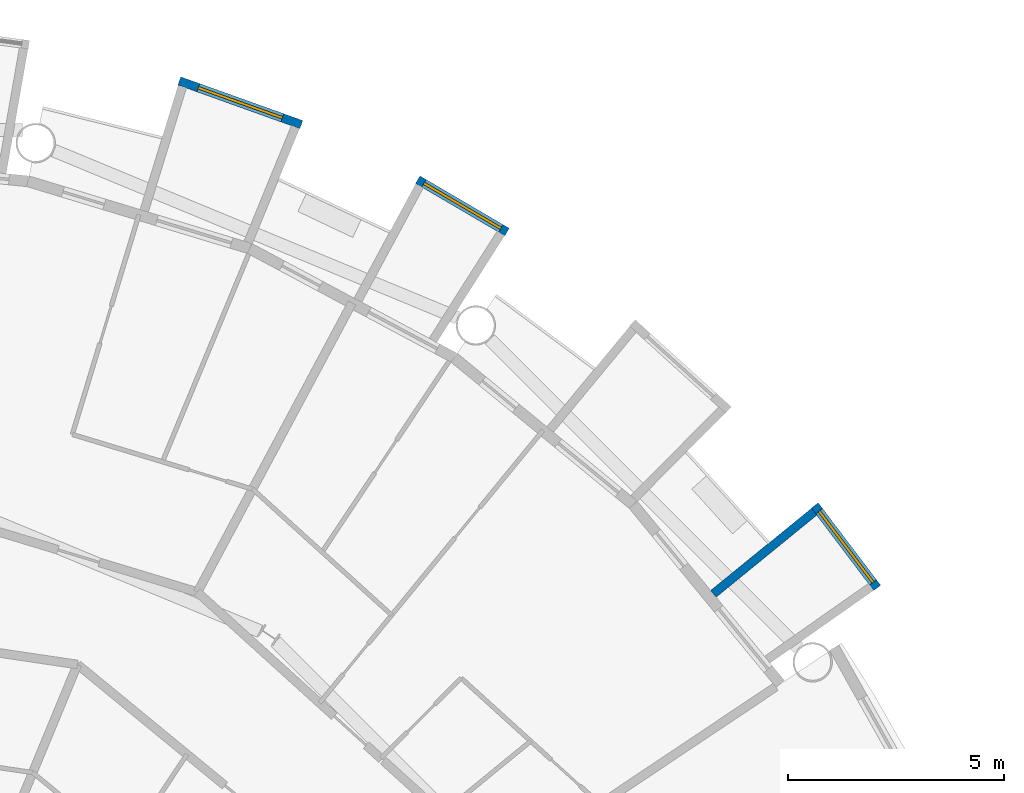
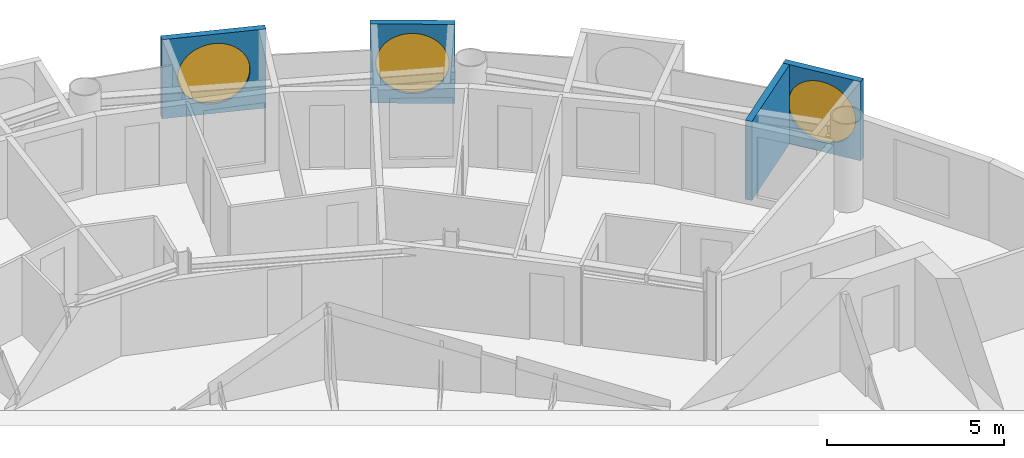
# One storey, part 24 of 28: 4 walls, 3 windows, 3 openings.
"""IFC4 building model written with IfcOpenShell, lengths in metres."""

from ifc_helpers import new_model, si_unit, direction, frame, frame_2d, origin, place, context, subcontext, project, spatial, rectangle, circle, extrude, material, layer, layer_set, type_object, element, fill, save


model = new_model("IFC4")

# Units and contexts
model_context = context("Model", 3, precision=1e-05, world=origin(), true_north=direction((0.0, 1.0)))
body_context = subcontext(model_context, "Body", "Model", "MODEL_VIEW")
ifc_project = project(units=[si_unit("LENGTHUNIT", "METRE"), si_unit("AREAUNIT", "SQUARE_METRE"), si_unit("VOLUMEUNIT", "CUBIC_METRE"), si_unit("PLANEANGLEUNIT", "RADIAN"), si_unit("MASSUNIT", "GRAM", prefix="KILO")], contexts=[model_context])

# Site, building, storey
site_placement = place(None, origin())
site = spatial("IfcSite", under=ifc_project, at=site_placement, CompositionType="ELEMENT")
building_placement = place(site_placement, origin())
building = spatial("IfcBuilding", under=site, at=building_placement, Name="Maasbend Ring Residences", CompositionType="ELEMENT")
storey_placement = place(building_placement, frame((0.0, 0.0, 133.0)))
storey = spatial("IfcBuildingStorey", under=building, at=storey_placement, Name="L38", CompositionType="ELEMENT", Elevation=133.0)

# Wall, opening, window
ifc_material_1 = material(Name="Pale anodised aluminium panel", Category="aluminium")
ifc_layer = layer(ifc_material_1, 0.199951171875)
ifc_layer_set = layer_set([ifc_layer], Name="EW-BOX")
wall_type = type_object("IfcWallType", Name="EW-BOX", PredefinedType="SOLIDWALL", material=ifc_layer_set)
wall_1_placement = place(storey_placement, frame((24.93994140625, 17.382080078125, -0.030029296875), z_axis=(0.0, 0.0, 1.0), x_axis=(-0.603375996329, 0.797456837111, 0.0)))
wall_1 = element("IfcWall", 1, at=wall_1_placement, inside=storey, type_object=wall_type, Name="Box front N01", PredefinedType="SOLIDWALL", context=body_context, shape_type="SweptSolid", body=[
    extrude(rectangle(XDim=2.391357421875, YDim=0.199951171875, at=frame_2d((1.19580078125, 0.0))), origin(), (0.0, 0.0, 1.0), 2.72998046875),
])
opening_1_placement = place(wall_1_placement, frame((0.15576171875, 0.0, 0.330078125)))
opening_1 = element("IfcOpeningElement", 2, at=opening_1_placement, cuts=wall_1, Name="Opening W-RD", PredefinedType="OPENING", context=body_context, shape_type="SweptSolid", body=[
    extrude(circle(Radius=1.0400390625, at=frame_2d((1.0400390625, 1.0400390625))), frame((0.0, 0.10986328125, 0.0), z_axis=(0.0, -1.0, 0.0), x_axis=(1.0, 0.0, 0.0)), (0.0, 0.0, 1.0), 0.219970703125),
])
ifc_material_2 = material(Name="Aluminium and clear glass", Category="aluminium")
window_type = type_object("IfcWindowType", Name="W-RD", PartitioningType="SINGLE_PANEL", PredefinedType="WINDOW", material=ifc_material_2)
window_1_placement = place(opening_1_placement, origin())
window_1 = element("IfcWindow", 3, at=window_1_placement, inside=storey, type_object=window_type, Name="Round window N01", OverallHeight=2.080078125, OverallWidth=2.080078125, PartitioningType="SINGLE_PANEL", PredefinedType="WINDOW", context=body_context, shape_type="SweptSolid", body=[
    extrude(circle(Radius=1.0400390625, at=frame_2d((1.0400390625, 1.0400390625))), frame((0.0, 0.030029296875, 0.0), z_axis=(0.0, -1.0, 0.0), x_axis=(1.0, 0.0, 0.0)), (0.0, 0.0, 1.0), 0.06005859375),
])
fill(opening_1, window_1)

# Wall
wall_2_placement = place(storey_placement, frame((21.155029296875, 17.24609375, -0.030029296875), z_axis=(0.0, 0.0, 1.0), x_axis=(0.775179004516, 0.631741648902, 0.0)))
element("IfcWall", 4, at=wall_2_placement, inside=storey, type_object=wall_type, Name="Box side wall N01 right", PredefinedType="SOLIDWALL", context=body_context, shape_type="SweptSolid", body=[
    extrude(rectangle(XDim=3.005859375, YDim=0.199951171875, at=frame_2d((1.5029296875, 0.0))), origin(), (0.0, 0.0, 1.0), 2.72998046875),
])

# Wall, opening, window
wall_3_placement = place(storey_placement, frame((16.389892578125, 25.60302734375, -0.030029296875), z_axis=(0.0, 0.0, 1.0), x_axis=(-0.862762477128, 0.505609442218, 0.0)))
wall_3 = element("IfcWall", 5, at=wall_3_placement, inside=storey, type_object=wall_type, Name="Box front N05", PredefinedType="SOLIDWALL", context=body_context, shape_type="SweptSolid", body=[
    extrude(rectangle(XDim=2.39111328125, YDim=0.199951171875, at=frame_2d((1.195556640625, 0.0))), origin(), (0.0, 0.0, 1.0), 2.72998046875),
])
opening_2_placement = place(wall_3_placement, frame((0.15576171875, 0.0, 0.330078125)))
opening_2 = element("IfcOpeningElement", 6, at=opening_2_placement, cuts=wall_3, Name="Opening W-RD", PredefinedType="OPENING", context=body_context, shape_type="SweptSolid", body=[
    extrude(circle(Radius=1.0400390625, at=frame_2d((1.0400390625, 1.0400390625))), frame((0.0, 0.10986328125, 0.0), z_axis=(0.0, -1.0, 0.0), x_axis=(1.0, 0.0, 0.0)), (0.0, 0.0, 1.0), 0.219970703125),
])
window_2_placement = place(opening_2_placement, origin())
window_2 = element("IfcWindow", 7, at=window_2_placement, inside=storey, type_object=window_type, Name="Round window N05", OverallHeight=2.080078125, OverallWidth=2.080078125, PartitioningType="SINGLE_PANEL", PredefinedType="WINDOW", context=body_context, shape_type="SweptSolid", body=[
    extrude(circle(Radius=1.0400390625, at=frame_2d((1.0400390625, 1.0400390625))), frame((0.0, 0.030029296875, 0.0), z_axis=(0.0, -1.0, 0.0), x_axis=(1.0, 0.0, 0.0)), (0.0, 0.0, 1.0), 0.06005859375),
])
fill(opening_2, window_2)

wall_4_placement = place(storey_placement, frame((11.637939453125, 28.083984375, -0.030029296875), z_axis=(0.0, 0.0, 1.0), x_axis=(-0.941461077774, 0.337121697664, 0.0)))
wall_4 = element("IfcWall", 8, at=wall_4_placement, inside=storey, type_object=wall_type, Name="Box front N07", PredefinedType="SOLIDWALL", context=body_context, shape_type="SweptSolid", body=[
    extrude(rectangle(XDim=2.9931640625, YDim=0.199951171875, at=frame_2d((1.49658203125, 0.0))), origin(), (0.0, 0.0, 1.0), 2.72998046875),
])
opening_3_placement = place(wall_4_placement, frame((0.45654296875, 0.0, 0.330078125)))
opening_3 = element("IfcOpeningElement", 9, at=opening_3_placement, cuts=wall_4, Name="Opening W-RD", PredefinedType="OPENING", context=body_context, shape_type="SweptSolid", body=[
    extrude(circle(Radius=1.0400390625, at=frame_2d((1.0400390625, 1.0400390625))), frame((0.0, 0.10986328125, 0.0), z_axis=(0.0, -1.0, 0.0), x_axis=(1.0, 0.0, 0.0)), (0.0, 0.0, 1.0), 0.219970703125),
])
window_3_placement = place(opening_3_placement, origin())
window_3 = element("IfcWindow", 10, at=window_3_placement, inside=storey, type_object=window_type, Name="Round window N07", OverallHeight=2.080078125, OverallWidth=2.080078125, PartitioningType="SINGLE_PANEL", PredefinedType="WINDOW", context=body_context, shape_type="SweptSolid", body=[
    extrude(circle(Radius=1.0400390625, at=frame_2d((1.0400390625, 1.0400390625))), frame((0.0, 0.030029296875, 0.0), z_axis=(0.0, -1.0, 0.0), x_axis=(1.0, 0.0, 0.0)), (0.0, 0.0, 1.0), 0.06005859375),
])
fill(opening_3, window_3)

save(model, "model.ifc")
